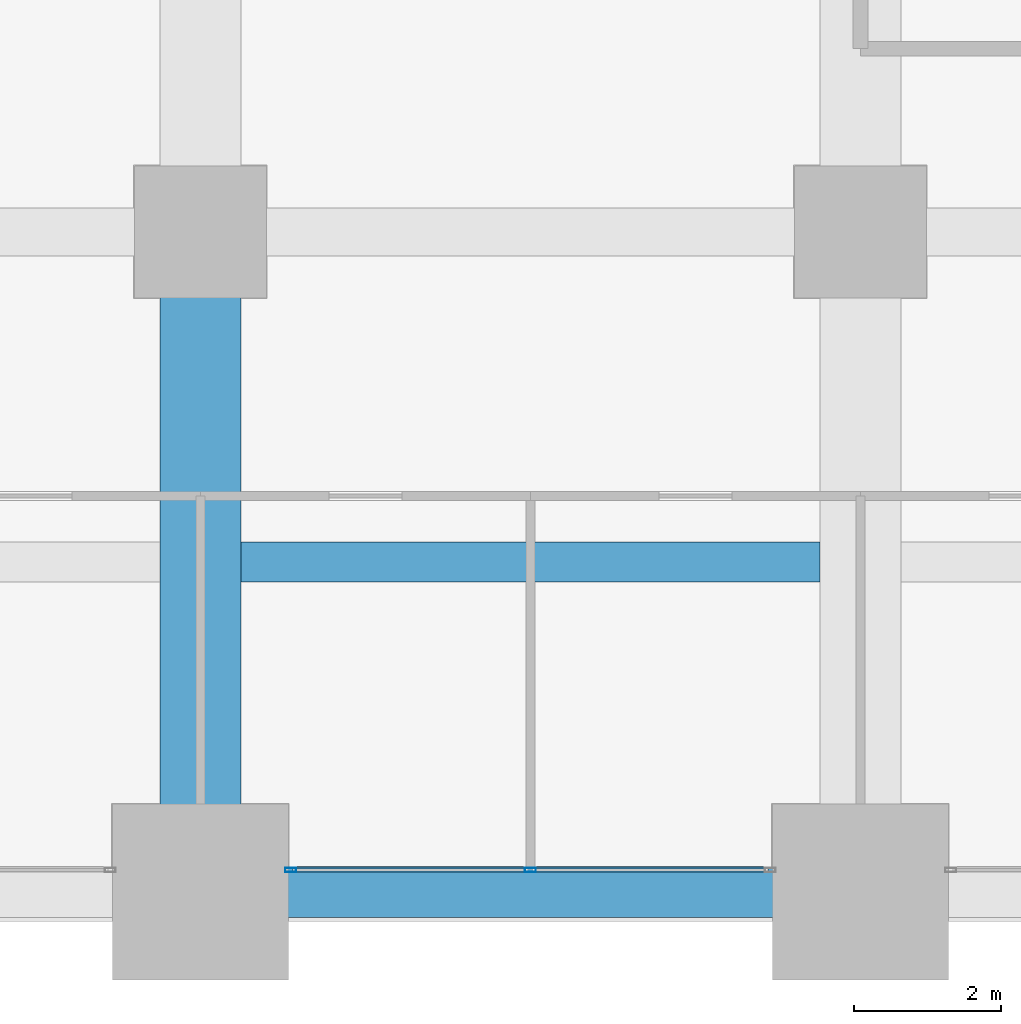
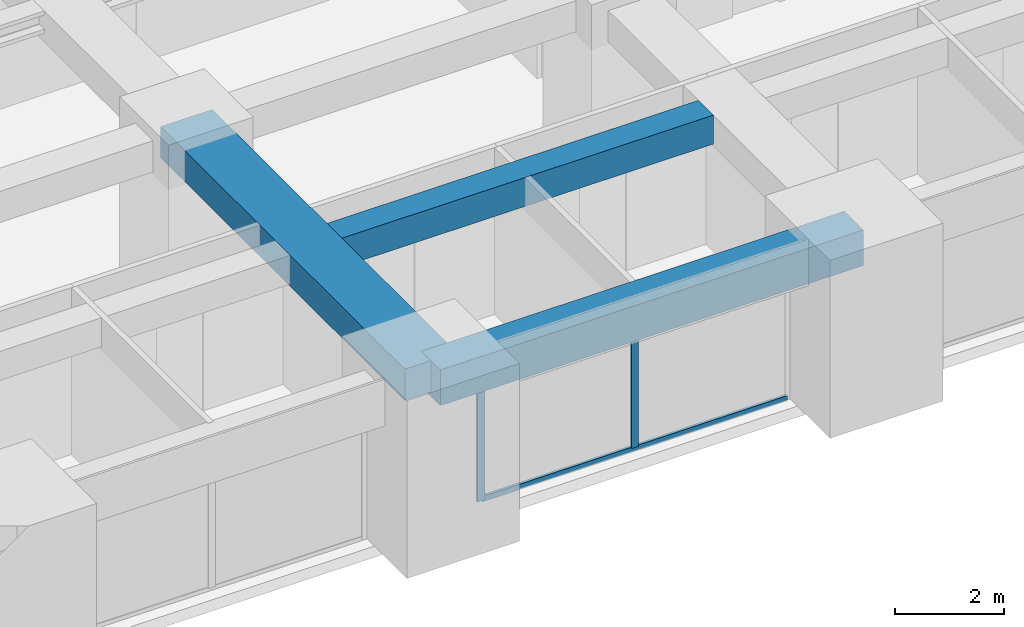
# One storey, part 7 of 40: 3 beams, 3 members, 1 element without a shape of its own.
"""IFC4 building model written with IfcOpenShell, lengths in metres."""

import ifcopenshell
import ifcopenshell.guid

model = None  # the IFC model being written
_history = None  # IfcOwnerHistory: only IFC2X3 demands one
_inside = {}  # id of a spatial element -> (the spatial element, [elements in it])
_under = {}  # id of a project, library or spatial element -> (it, [spatial elements below it])
_declared = {}  # id of a project -> (the project, [libraries it declares])
_typed = {}  # id of a type object -> (the type object, [elements of that type])
_made_of = {}  # id of a material, layer set ... -> (it, [elements and type objects made of it])


def new_model(schema):
    """Start an empty IFC model of exactly this schema.

    Asked for "IFC4X3", IfcOpenShell would pick the latest addendum, in which some entities
    have other attributes; the version numbers below select the first issue.
    IFC2X3 requires an IfcOwnerHistory on every rooted entity: one is made here for all.
    """
    global model, _history
    if schema == "IFC4X3":
        model = ifcopenshell.file(schema_version=(4, 3, 0, 0))
    else:
        model = ifcopenshell.file(schema=schema)
    _inside.clear()
    _under.clear()
    _declared.clear()
    _typed.clear()
    _made_of.clear()
    _history = None
    if model.schema == "IFC2X3":
        org = make("IfcOrganization", Name="unknown")
        user = make(
            "IfcPersonAndOrganization",
            ThePerson=make("IfcPerson", FamilyName="unknown"),
            TheOrganization=org,
        )
        app = make(
            "IfcApplication",
            ApplicationDeveloper=org,
            Version="unknown",
            ApplicationFullName="unknown",
            ApplicationIdentifier="unknown",
        )
        _history = make(
            "IfcOwnerHistory",
            OwningUser=user,
            OwningApplication=app,
            ChangeAction="ADDED",
            CreationDate=0,
        )
    return model


def make(cls, **values):
    """One entity of the class cls with the attributes given. An attribute that is None is left unset."""
    return model.create_entity(
        cls, **{name: value for name, value in values.items() if value is not None}
    )


def rooted(cls, **values):
    """An entity with a GlobalId (a new one), such as an element, a storey or a relation."""
    return make(cls, GlobalId=ifcopenshell.guid.new(), OwnerHistory=_history, **values)


def si_unit(unit_type, name, prefix=None):
    """IfcSIUnit, for example si_unit("LENGTHUNIT", "METRE", prefix="MILLI")."""
    return make("IfcSIUnit", UnitType=unit_type, Prefix=prefix, Name=name)


def assignment(units):
    """IfcUnitAssignment: the units of a project."""
    return None if units is None else make("IfcUnitAssignment", Units=units)


def point(xyz):
    """IfcCartesianPoint."""
    return None if xyz is None else make("IfcCartesianPoint", Coordinates=xyz)


def direction(xyz):
    """IfcDirection."""
    return None if xyz is None else make("IfcDirection", DirectionRatios=xyz)


def frame(location, z_axis=None, x_axis=None):
    """IfcAxis2Placement3D, a coordinate frame: its origin and axes. An axis left out is left unset."""
    return make(
        "IfcAxis2Placement3D",
        Location=point(location),
        Axis=direction(z_axis),
        RefDirection=direction(x_axis),
    )


def frame_2d(location, x_axis=None):
    """IfcAxis2Placement2D, a coordinate frame in the plane: its origin and x axis."""
    return make(
        "IfcAxis2Placement2D", Location=point(location), RefDirection=direction(x_axis)
    )


def origin():
    """The frame at (0, 0, 0) with its axes left unset."""
    return frame((0.0, 0.0, 0.0))


def origin_2d():
    """The frame at (0, 0) in the plane with its x axis left unset."""
    return frame_2d((0.0, 0.0))


def place(relative_to, where):
    """IfcLocalPlacement: puts the frame where relative to a parent placement (None: the world)."""
    return make(
        "IfcLocalPlacement", PlacementRelTo=relative_to, RelativePlacement=where
    )


def context(
    kind, dimensions, precision=None, world=None, true_north=None, identifier=None
):
    """IfcGeometricRepresentationContext, for example the 3D "Model" context."""
    return make(
        "IfcGeometricRepresentationContext",
        ContextIdentifier=identifier,
        ContextType=kind,
        CoordinateSpaceDimension=dimensions,
        Precision=precision,
        WorldCoordinateSystem=world,
        TrueNorth=true_north,
    )


def subcontext(parent, identifier, kind, view, scale=None):
    """IfcGeometricRepresentationSubContext, for example "Body" below "Model"."""
    return make(
        "IfcGeometricRepresentationSubContext",
        ContextIdentifier=identifier,
        ContextType=kind,
        ParentContext=parent,
        TargetScale=scale,
        TargetView=view,
    )


def project(units=None, contexts=None):
    """IfcProject with its units and contexts."""
    return rooted(
        "IfcProject",
        Name="project",
        RepresentationContexts=contexts,
        UnitsInContext=assignment(units),
    )


def spatial(cls, under=None, at=None, **own):
    """A site, building, storey or space (cls), placed at a placement, below another one or the project."""
    s = rooted(cls, ObjectPlacement=at, **own)
    if under is not None:
        _under.setdefault(under.id(), (under, []))[1].append(s)
    return s


def profile(cls, at=None, kind="AREA", **sizes):
    """A parametric profile (cls). Its sizes go by their IFC names, for example OverallWidth=200.0."""
    return make(cls, ProfileType=kind, Position=at, **sizes)


def rectangle(**sizes):
    """IfcRectangleProfileDef."""
    return profile("IfcRectangleProfileDef", **sizes)


def hollow_rectangle(**sizes):
    """IfcRectangleHollowProfileDef."""
    return profile("IfcRectangleHollowProfileDef", **sizes)


def extrude(swept, where, along, depth):
    """IfcExtrudedAreaSolid: the profile swept, set in the frame where, extruded along a direction by depth."""
    return make(
        "IfcExtrudedAreaSolid",
        SweptArea=swept,
        Position=where,
        ExtrudedDirection=direction(along),
        Depth=depth,
    )


def shape(context_of_items, identifier, shape_type, items):
    """IfcShapeRepresentation: the items that make up one representation, for example the "Body"."""
    return make(
        "IfcShapeRepresentation",
        ContextOfItems=context_of_items,
        RepresentationIdentifier=identifier,
        RepresentationType=shape_type,
        Items=items,
    )


def material(Name=None, Category=None):
    """IfcMaterial."""
    return make("IfcMaterial", Name=Name, Category=Category)


def material_profile(
    of_material, cross_section, Name=None, Category=None, Priority=None
):
    """IfcMaterialProfile: a cross section and its material."""
    return make(
        "IfcMaterialProfile",
        Name=Name,
        Material=of_material,
        Profile=cross_section,
        Priority=Priority,
        Category=Category,
    )


def profile_set(profiles, Name=None, composite=None):
    """IfcMaterialProfileSet."""
    return make(
        "IfcMaterialProfileSet",
        Name=Name,
        MaterialProfiles=profiles,
        CompositeProfile=composite,
    )


def made_of(thing, what):
    """Note that an element or type object is made of a material, layer set ...; save() writes the relation."""
    if what is not None:
        _made_of.setdefault(what.id(), (what, []))[1].append(thing)
    return thing


def type_object(cls, material=None, **own):
    """A type object (cls), such as IfcWallType, which elements share."""
    return made_of(rooted(cls, **own), material)


def element(
    cls,
    number,
    at=None,
    inside=None,
    cuts=None,
    type_object=None,
    material=None,
    context=None,
    identifier="Body",
    shape_type=None,
    held_by="IfcProductDefinitionShape",
    body=None,
    shapes=None,
    **own,
):
    """One element of the class cls, such as IfcWall. Its Tag is "e" and its number.

    at: its placement. inside: the storey or other place that contains it. cuts: it is an
    opening in that element (IfcRelVoidsElement). A single representation is given by context,
    identifier, shape_type and body (its items); several are given by shapes. held_by: the class
    of the entity that holds the representations. save() writes the other relations.
    """
    e = rooted(cls, Tag="e%d" % number, ObjectPlacement=at, **own)
    if body is not None:
        shapes = [shape(context, identifier, shape_type, body)]
    if shapes is not None:
        e.Representation = make(held_by, Representations=shapes)
    if inside is not None:
        _inside.setdefault(inside.id(), (inside, []))[1].append(e)
    if cuts is not None:
        rooted(
            "IfcRelVoidsElement", RelatingBuildingElement=cuts, RelatedOpeningElement=e
        )
    if type_object is not None:
        _typed.setdefault(type_object.id(), (type_object, []))[1].append(e)
    return made_of(e, material)


def aggregate(whole, parts):
    """IfcRelAggregates: a whole, such as a stair, and the parts it consists of."""
    return rooted("IfcRelAggregates", RelatingObject=whole, RelatedObjects=parts)


def save(model, path):
    """Write the relations noted so far, then the file.

    IfcRelAggregates (storeys below a building ...), IfcRelContainedInSpatialStructure (elements
    in a storey), IfcRelDefinesByType, IfcRelAssociatesMaterial and IfcRelDeclares: one each for
    every whole, place, type object, material and project.
    """
    for whole, parts in _under.values():
        aggregate(whole, parts)
    for where, things in _inside.values():
        rooted(
            "IfcRelContainedInSpatialStructure",
            RelatedElements=things,
            RelatingStructure=where,
        )
    for kind, things in _typed.values():
        rooted("IfcRelDefinesByType", RelatedObjects=things, RelatingType=kind)
    for what, things in _made_of.values():
        rooted("IfcRelAssociatesMaterial", RelatedObjects=things, RelatingMaterial=what)
    for by, libraries in _declared.values():
        rooted("IfcRelDeclares", RelatingContext=by, RelatedDefinitions=libraries)
    model.write(path)


model = new_model("IFC4")

# Units and contexts
model_context = context("Model", 3, precision=1e-05, world=origin(), true_north=direction((0.0, 1.0)))
body_context = subcontext(model_context, "Body", "Model", "MODEL_VIEW")
ifc_project = project(units=[si_unit("LENGTHUNIT", "METRE"), si_unit("AREAUNIT", "SQUARE_METRE"), si_unit("VOLUMEUNIT", "CUBIC_METRE"), si_unit("PLANEANGLEUNIT", "RADIAN"), si_unit("MASSUNIT", "GRAM", prefix="KILO")], contexts=[model_context])

# Site, building, storey
site_placement = place(None, origin())
site = spatial("IfcSite", under=ifc_project, at=site_placement, CompositionType="ELEMENT")
building_placement = place(site_placement, origin())
building = spatial("IfcBuilding", under=site, at=building_placement, Name="Zorevar Civic Tower", CompositionType="ELEMENT")
storey_placement = place(building_placement, frame((0.0, 0.0, 133.0)))
storey = spatial("IfcBuildingStorey", under=building, at=storey_placement, Name="L32", CompositionType="ELEMENT", Elevation=133.0)

# Beams
ifc_material_1 = material(Name="Concrete C50/60", Category="concrete")
ifc_material_profile_1 = material_profile(ifc_material_1, rectangle(XDim=1.10009765625, YDim=0.699951171875, at=origin_2d()), Name="RC 1100x700")
ifc_profile_set_1 = profile_set([ifc_material_profile_1], Name="Concrete C50/60")
beam_type_1 = type_object("IfcBeamType", Name="Beam RC 1100x700", PredefinedType="BEAM", material=ifc_profile_set_1)
beam_1_placement = place(storey_placement, frame((27.0, 0.0, 3.39990234375), z_axis=(0.0, 1.0, 0.0), x_axis=(-1.0, 0.0, 0.0)))
element("IfcBeam", 1, at=beam_1_placement, inside=storey, type_object=beam_type_1, Name="Girder L33", PredefinedType="BEAM", context=body_context, shape_type="SweptSolid", body=[
    extrude(rectangle(XDim=1.10009765625, YDim=0.699951171875, at=origin_2d()), origin(), (0.0, 0.0, 1.0), 9.0),
])
ifc_material_2 = material(Name="Concrete C50/60", Category="concrete")
ifc_material_profile_2 = material_profile(ifc_material_2, rectangle(XDim=0.550048828125, YDim=0.64990234375, at=origin_2d()), Name="RC 550x650")
ifc_profile_set_2 = profile_set([ifc_material_profile_2], Name="Concrete C50/60")
beam_type_2 = type_object("IfcBeamType", Name="Beam RC 550x650", PredefinedType="BEAM", material=ifc_profile_set_2)
beam_2_placement = place(storey_placement, frame((27.550048828125, 4.5, 3.425048828125), z_axis=(1.0, 0.0, 0.0), x_axis=(0.0, 1.0, 0.0)))
element("IfcBeam", 2, at=beam_2_placement, inside=storey, type_object=beam_type_2, Name="Secondary beam L33", PredefinedType="BEAM", context=body_context, shape_type="SweptSolid", body=[
    extrude(rectangle(XDim=0.550048828125, YDim=0.64990234375, at=origin_2d()), origin(), (0.0, 0.0, 1.0), 7.89990234375),
])

# Curtain wall, members
ifc_material_3 = material(Name="Dark grey solar-control glass in black aluminium frame", Category="aluminium")
curtain_wall_type = type_object("IfcCurtainWallType", Name="Curtain wall CW3 mid zone", PredefinedType="NOTDEFINED", material=ifc_material_3)
curtain_wall_placement = place(storey_placement, origin())
curtain_wall = element("IfcCurtainWall", 3, at=curtain_wall_placement, inside=storey, type_object=curtain_wall_type, Name="CW3 L32", PredefinedType="NOTDEFINED")
ifc_material_4 = material(Name="Aluminium, black anodised", Category="aluminium")
ifc_material_profile_3 = material_profile(ifc_material_4, hollow_rectangle(XDim=0.06005859375, YDim=0.14990234375, WallThickness=0.00390625, at=origin_2d()), Name="AL 150x60x4")
ifc_profile_set_3 = profile_set([ifc_material_profile_3], Name="Aluminium, black anodised")
member_type_1 = type_object("IfcMemberType", Name="CW3 mullion AL 150x60x4", PredefinedType="MULLION", material=ifc_profile_set_3)
member_1_placement = place(storey_placement, frame((28.22998046875, 0.300048828125, 0.0), z_axis=(0.0, 0.0, 1.0), x_axis=(0.0, 1.0, 0.0)))
member_1 = element("IfcMember", 4, at=member_1_placement, type_object=member_type_1, Name="CW3 mullion 1", PredefinedType="MULLION", context=body_context, shape_type="SweptSolid", body=[
    extrude(hollow_rectangle(XDim=0.06005859375, YDim=0.14990234375, WallThickness=0.00390625, at=origin_2d()), origin(), (0.0, 0.0, 1.0), 2.949951171875),
])
member_2_placement = place(storey_placement, frame((31.5, 0.300048828125, 0.06005859375), z_axis=(0.0, 0.0, 1.0), x_axis=(0.0, 1.0, 0.0)))
member_2 = element("IfcMember", 5, at=member_2_placement, type_object=member_type_1, Name="CW3 mullion 2", PredefinedType="MULLION", context=body_context, shape_type="SweptSolid", body=[
    extrude(hollow_rectangle(XDim=0.06005859375, YDim=0.14990234375, WallThickness=0.00390625, at=origin_2d()), origin(), (0.0, 0.0, 1.0), 2.889892578125),
])
ifc_material_5 = material(Name="Aluminium, black anodised", Category="aluminium")
ifc_material_profile_4 = material_profile(ifc_material_5, hollow_rectangle(XDim=0.06005859375, YDim=0.1201171875, WallThickness=0.0029296875, at=origin_2d()), Name="AL 120x60x3")
ifc_profile_set_4 = profile_set([ifc_material_profile_4], Name="Aluminium, black anodised")
member_type_2 = type_object("IfcMemberType", Name="CW3 transom AL 120x60x3", PredefinedType="USERDEFINED", material=ifc_profile_set_4)
member_3_placement = place(storey_placement, frame((28.260009765625, 0.300048828125, 0.030029296875), z_axis=(1.0, 0.0, 0.0), x_axis=(0.0, 1.0, 0.0)))
member_3 = element("IfcMember", 6, at=member_3_placement, type_object=member_type_2, Name="CW3 sill transom", ObjectType="TRANSOM", PredefinedType="USERDEFINED", context=body_context, shape_type="SweptSolid", body=[
    extrude(hollow_rectangle(XDim=0.06005859375, YDim=0.1201171875, WallThickness=0.0029296875, at=origin_2d()), origin(), (0.0, 0.0, 1.0), 6.47998046875),
])
aggregate(curtain_wall, [member_1, member_2, member_3])

# Beam
ifc_material_6 = material(Name="Concrete C50/60", Category="concrete")
ifc_material_profile_5 = material_profile(ifc_material_6, rectangle(XDim=0.699951171875, YDim=0.800048828125, at=origin_2d()), Name="RC 700x800")
ifc_profile_set_5 = profile_set([ifc_material_profile_5], Name="Concrete C50/60")
beam_type_3 = type_object("IfcBeamType", Name="Edge beam RC 700x800", PredefinedType="SPANDREL", material=ifc_profile_set_5)
beam_3_placement = place(storey_placement, frame((27.0, 0.0, 3.35009765625), z_axis=(1.0, 0.0, 0.0), x_axis=(0.0, 1.0, 0.0)))
element("IfcBeam", 7, at=beam_3_placement, inside=storey, type_object=beam_type_3, Name="Edge beam L33", PredefinedType="SPANDREL", context=body_context, shape_type="SweptSolid", body=[
    extrude(rectangle(XDim=0.699951171875, YDim=0.800048828125, at=origin_2d()), origin(), (0.0, 0.0, 1.0), 9.0),
])

save(model, "model.ifc")
